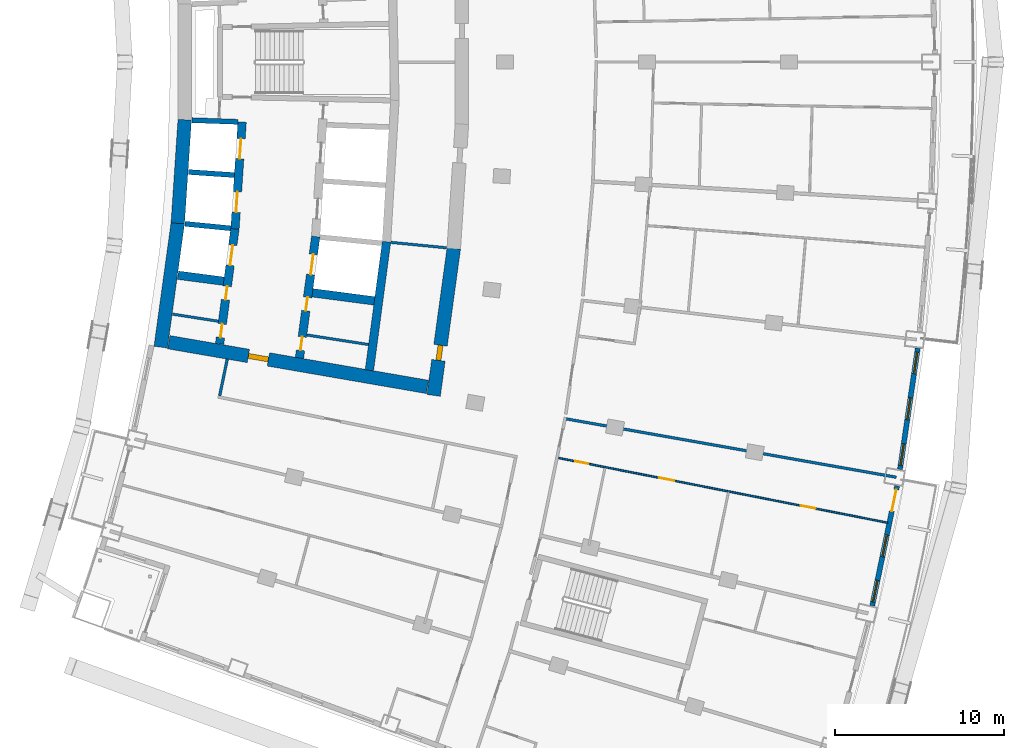
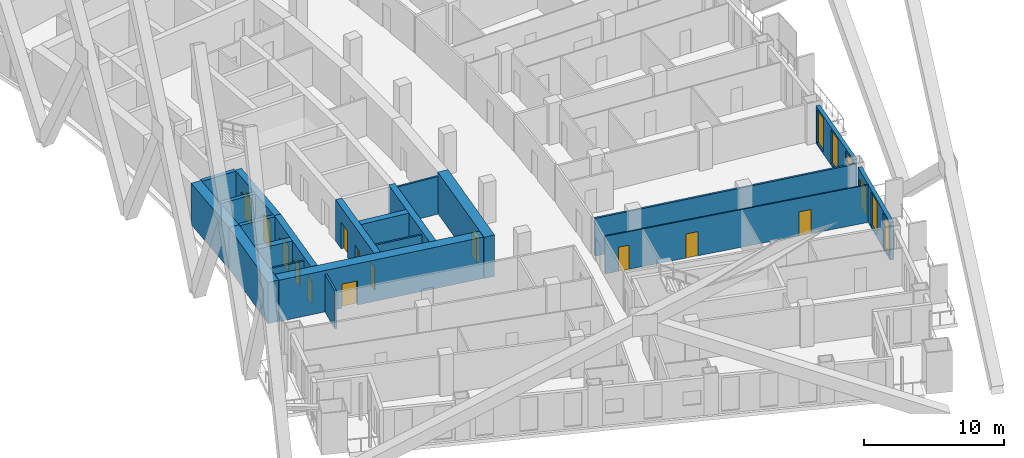
# One storey, part 13 of 24: 21 walls, 14 doors, 5 windows, 19 openings.
"""IFC4 building model written with IfcOpenShell, lengths in metres."""

from ifc_helpers import new_model, si_unit, direction, frame, frame_2d, origin, place, context, subcontext, project, spatial, rectangle, extrude, material, layer, layer_set, type_object, element, fill, save


model = new_model("IFC4")

# Units and contexts
model_context = context("Model", 3, precision=1e-05, world=origin(), true_north=direction((0.0, 1.0)))
body_context = subcontext(model_context, "Body", "Model", "MODEL_VIEW")
ifc_project = project(units=[si_unit("LENGTHUNIT", "METRE"), si_unit("AREAUNIT", "SQUARE_METRE"), si_unit("VOLUMEUNIT", "CUBIC_METRE"), si_unit("PLANEANGLEUNIT", "RADIAN"), si_unit("MASSUNIT", "GRAM", prefix="KILO")], contexts=[model_context])

# Site, building, storey
site_placement = place(None, origin())
site = spatial("IfcSite", under=ifc_project, at=site_placement, CompositionType="ELEMENT")
building_placement = place(site_placement, origin())
building = spatial("IfcBuilding", under=site, at=building_placement, Name="Alderwake Tower", CompositionType="ELEMENT")
storey_placement = place(building_placement, frame((0.0, 0.0, 104.0)))
storey = spatial("IfcBuildingStorey", under=building, at=storey_placement, Name="L25", CompositionType="ELEMENT", Elevation=104.0)

# Walls
ifc_material_1 = material(Name="Gypsum shaft wall system, rated")
ifc_layer_1 = layer(ifc_material_1, 0.14990234375)
ifc_layer_set_1 = layer_set([ifc_layer_1], Name="Core room partition 150")
wall_type_1 = type_object("IfcWallType", Name="Core room partition 150", PredefinedType="PARTITIONING", material=ifc_layer_set_1)
wall_1_placement = place(storey_placement, frame((16.122802734375, 46.082763671875, 0.0), z_axis=(0.0, 0.0, 1.0), x_axis=(0.988174136122, -0.153335829796, 0.0)))
element("IfcWall", 1, at=wall_1_placement, inside=storey, type_object=wall_type_1, Name="CW/L25/PR-161_+0", PredefinedType="PARTITIONING", context=body_context, shape_type="SweptSolid", body=[
    extrude(rectangle(XDim=2.740234375, YDim=0.14990234375, at=frame_2d((1.3701171875, 0.0))), origin(), (0.0, 0.0, 1.0), 3.280029296875),
])
wall_2_placement = place(storey_placement, frame((24.065185546875, 44.85009765625, 0.0), z_axis=(0.0, 0.0, 1.0), x_axis=(0.988172350529, -0.153347336626, 0.0)))
element("IfcWall", 2, at=wall_2_placement, inside=storey, type_object=wall_type_1, Name="CW/L25/PR-161_+86", PredefinedType="PARTITIONING", context=body_context, shape_type="SweptSolid", body=[
    extrude(rectangle(XDim=3.69677734375, YDim=0.14990234375, at=frame_2d((1.848388671875, 0.0))), origin(), (0.0, 0.0, 1.0), 3.280029296875),
])
wall_3_placement = place(storey_placement, frame((29.029296875, 50.331298828125, 0.0), z_axis=(0.0, 0.0, 1.0), x_axis=(0.995248248589, -0.097370034814, 0.0)))
element("IfcWall", 3, at=wall_3_placement, inside=storey, type_object=wall_type_1, Name="CW/L25/PR-102_+128", PredefinedType="PARTITIONING", context=body_context, shape_type="SweptSolid", body=[
    extrude(rectangle(XDim=3.31982421875, YDim=0.14990234375, at=frame_2d((1.659912109375, 0.0))), origin(), (0.0, 0.0, 1.0), 3.280029296875),
])
ifc_material_2 = material(Name="Concrete C70/85", Category="concrete")
ifc_layer_2 = layer(ifc_material_2, 0.800048828125)
ifc_layer_set_2 = layer_set([ifc_layer_2], Name="Core wall outer 800 C70-85")
wall_type_2 = type_object("IfcWallType", Name="Core wall outer 800 C70-85", PredefinedType="SHEAR", material=ifc_layer_set_2)
wall_4_placement = place(storey_placement, frame((15.419921875, 44.12890625, 0.0), z_axis=(0.0, 0.0, 1.0), x_axis=(0.13634256868, 0.990661750531, 0.0)))
element("IfcWall", 4, at=wall_4_placement, inside=storey, type_object=wall_type_2, Name="Core wall CW.042", PredefinedType="SHEAR", context=body_context, shape_type="SweptSolid", body=[
    extrude(rectangle(XDim=7.42578125, YDim=0.800048828125, at=frame_2d((3.712890625, 0.0))), origin(), (0.0, 0.0, 1.0), 3.60009765625),
])
wall_5_placement = place(storey_placement, frame((16.429443359375, 51.45654296875, 0.0), z_axis=(0.0, 0.0, 1.0), x_axis=(0.066885651624, 0.997760647454, 0.0)))
element("IfcWall", 5, at=wall_5_placement, inside=storey, type_object=wall_type_2, Name="Core wall CW.041", PredefinedType="SHEAR", context=body_context, shape_type="SweptSolid", body=[
    extrude(rectangle(XDim=6.14306640625, YDim=0.800048828125, at=frame_2d((3.071533203125, 0.0))), origin(), (0.0, 0.0, 1.0), 3.60009765625),
])

# Wall, opening, door
wall_6_placement = place(storey_placement, frame((32.763427734375, 49.980712890625, 0.0), z_axis=(0.0, 0.0, 1.0), x_axis=(-0.135838347444, -0.990731014637, 0.0)))
wall_6 = element("IfcWall", 6, at=wall_6_placement, inside=storey, type_object=wall_type_2, Name="Core wall CW.012", PredefinedType="SHEAR", context=body_context, shape_type="SweptSolid", body=[
    extrude(rectangle(XDim=8.788818359375, YDim=0.800048828125, at=frame_2d((4.39453125, 0.0))), origin(), (0.0, 0.0, 1.0), 3.60009765625),
])
opening_1_placement = place(wall_6_placement, frame((5.79345703125, 0.0, 0.0)))
opening_1 = element("IfcOpeningElement", 7, at=opening_1_placement, cuts=wall_6, Name="Opening C060", PredefinedType="OPENING", context=body_context, shape_type="SweptSolid", body=[
    extrude(rectangle(XDim=0.89990234375, YDim=2.10009765625, at=frame_2d((0.449951171875, 1.050048828125))), frame((0.0, 0.409912109375, 0.0), z_axis=(0.0, -1.0, 0.0), x_axis=(1.0, 0.0, 0.0)), (0.0, 0.0, 1.0), 0.820068359375),
])
ifc_material_3 = material(Name="Painted steel leaf", Category="steel")
door_type_1 = type_object("IfcDoorType", Name="Core room door 900", OperationType="SINGLE_SWING_LEFT", PredefinedType="DOOR", material=ifc_material_3)
door_1_placement = place(opening_1_placement, origin())
door_1 = element("IfcDoor", 8, at=door_1_placement, inside=storey, type_object=door_type_1, Name="Room door", OperationType="SINGLE_SWING_LEFT", OverallHeight=2.10009765625, OverallWidth=0.89990234375, PredefinedType="DOOR", context=body_context, shape_type="SweptSolid", body=[
    extrude(rectangle(XDim=0.89990234375, YDim=2.10009765625, at=frame_2d((0.449951171875, 1.050048828125))), frame((0.0, 0.14990234375, 0.0), z_axis=(0.0, -1.0, 0.0), x_axis=(1.0, 0.0, 0.0)), (0.0, 0.0, 1.0), 0.300048828125),
])
fill(opening_1, door_1)

wall_7_placement = place(storey_placement, frame((31.20458984375, 41.776611328125, 0.0), z_axis=(0.0, 0.0, 1.0), x_axis=(-0.985386537175, 0.170333121719, 0.0)))
wall_7 = element("IfcWall", 9, at=wall_7_placement, inside=storey, type_object=wall_type_2, Name="Core wall CW.071", PredefinedType="SHEAR", context=body_context, shape_type="SweptSolid", body=[
    extrude(rectangle(XDim=15.537109375, YDim=0.800048828125, at=frame_2d((7.7685546875, 0.0))), origin(), (0.0, 0.0, 1.0), 3.60009765625),
])
opening_2_placement = place(wall_7_placement, frame((9.5537109375, 0.0, 0.0)))
opening_2 = element("IfcOpeningElement", 10, at=opening_2_placement, cuts=wall_7, Name="Opening C003", PredefinedType="OPENING", context=body_context, shape_type="SweptSolid", body=[
    extrude(rectangle(XDim=1.199951171875, YDim=2.10009765625, at=frame_2d((0.60009765625, 1.050048828125))), frame((0.0, 0.409912109375, 0.0), z_axis=(0.0, -1.0, 0.0), x_axis=(1.0, 0.0, 0.0)), (0.0, 0.0, 1.0), 0.820068359375),
])
ifc_material_4 = material(Name="Steel-framed fire door leaf", Category="steel")
door_type_2 = type_object("IfcDoorType", Name="Core lobby exit door 1200 fire-rated", OperationType="SINGLE_SWING_LEFT", PredefinedType="DOOR", material=ifc_material_4)
door_2_placement = place(opening_2_placement, origin())
door_2 = element("IfcDoor", 11, at=door_2_placement, inside=storey, type_object=door_type_2, Name="Lobby door", OperationType="SINGLE_SWING_LEFT", OverallHeight=2.10009765625, OverallWidth=1.199951171875, PredefinedType="DOOR", context=body_context, shape_type="SweptSolid", body=[
    extrude(rectangle(XDim=1.199951171875, YDim=2.10009765625, at=frame_2d((0.60009765625, 1.050048828125))), frame((0.0, 0.14990234375, 0.0), z_axis=(0.0, -1.0, 0.0), x_axis=(1.0, 0.0, 0.0)), (0.0, 0.0, 1.0), 0.300048828125),
])
fill(opening_2, door_2)

# Walls
ifc_material_5 = material(Name="Concrete C70/85", Category="concrete")
ifc_layer_3 = layer(ifc_material_5, 0.300048828125)
ifc_layer_set_3 = layer_set([ifc_layer_3], Name="Core wall shaft 300 C70-85")
wall_type_3 = type_object("IfcWallType", Name="Core wall shaft 300 C70-85", PredefinedType="SHEAR", material=ifc_layer_set_3)
wall_8_placement = place(storey_placement, frame((16.8583984375, 51.4287109375, 0.0), z_axis=(0.0, 0.0, 1.0), x_axis=(0.995157330456, -0.098294901394, 0.0)))
element("IfcWall", 12, at=wall_8_placement, inside=storey, type_object=wall_type_3, Name="Core wall CW.065", PredefinedType="SHEAR", context=body_context, shape_type="SweptSolid", body=[
    extrude(rectangle(XDim=2.7197265625, YDim=0.300048828125, at=frame_2d((1.35986328125, 0.0))), origin(), (0.0, 0.0, 1.0), 3.60009765625),
])
wall_9_placement = place(storey_placement, frame((17.06396484375, 54.492919921875, 0.0), z_axis=(0.0, 0.0, 1.0), x_axis=(0.997758851023, -0.066912444326, 0.0)))
element("IfcWall", 13, at=wall_9_placement, inside=storey, type_object=wall_type_3, Name="Core wall CW.079", PredefinedType="SHEAR", context=body_context, shape_type="SweptSolid", body=[
    extrude(rectangle(XDim=2.71826171875, YDim=0.300048828125, at=frame_2d((1.359130859375, 0.0))), origin(), (0.0, 0.0, 1.0), 3.60009765625),
])
wall_10_placement = place(storey_placement, frame((17.269287109375, 57.556884765625, 0.0), z_axis=(0.0, 0.0, 1.0), x_axis=(0.999374351644, -0.035368139275, 0.0)))
element("IfcWall", 14, at=wall_10_placement, inside=storey, type_object=wall_type_3, Name="Core wall CW.076", PredefinedType="SHEAR", context=body_context, shape_type="SweptSolid", body=[
    extrude(rectangle(XDim=2.7197265625, YDim=0.300048828125, at=frame_2d((1.35986328125, 0.0))), origin(), (0.0, 0.0, 1.0), 3.60009765625),
])

# Wall, openings, doors
ifc_material_6 = material(Name="Concrete C70/85", Category="concrete")
ifc_layer_4 = layer(ifc_material_6, 0.5)
ifc_layer_set_4 = layer_set([ifc_layer_4], Name="Core wall spine 500 C70-85")
wall_type_4 = type_object("IfcWallType", Name="Core wall spine 500 C70-85", PredefinedType="SHEAR", material=ifc_layer_set_4)
wall_11_placement = place(storey_placement, frame((19.81494140625, 51.145263671875, 0.0), z_axis=(0.0, 0.0, 1.0), x_axis=(-0.132349652161, -0.991203091991, 0.0)))
wall_11 = element("IfcWall", 15, at=wall_11_placement, inside=storey, type_object=wall_type_4, Name="Core wall CW.033", PredefinedType="SHEAR", context=body_context, shape_type="SweptSolid", body=[
    extrude(rectangle(XDim=6.880615234375, YDim=0.5, at=frame_2d((3.4404296875, 0.0))), origin(), (0.0, 0.0, 1.0), 3.60009765625),
])
opening_3_placement = place(wall_11_placement, frame((0.99072265625, 0.0, 0.0)))
opening_3 = element("IfcOpeningElement", 16, at=opening_3_placement, cuts=wall_11, Name="Opening LD-LP1", PredefinedType="OPENING", context=body_context, shape_type="SweptSolid", body=[
    extrude(rectangle(XDim=1.199951171875, YDim=2.300048828125, at=frame_2d((0.60009765625, 1.14990234375))), frame((0.0, 0.260009765625, 0.0), z_axis=(0.0, -1.0, 0.0), x_axis=(1.0, 0.0, 0.0)), (0.0, 0.0, 1.0), 0.52001953125),
])
opening_4_placement = place(wall_11_placement, frame((5.698486328125, 0.0, 0.0)))
opening_4 = element("IfcOpeningElement", 17, at=opening_4_placement, cuts=wall_11, Name="Opening C009", PredefinedType="OPENING", context=body_context, shape_type="SweptSolid", body=[
    extrude(rectangle(XDim=0.800048828125, YDim=2.0, at=frame_2d((0.39990234375, 1.0))), frame((0.0, 0.260009765625, 0.0), z_axis=(0.0, -1.0, 0.0), x_axis=(1.0, 0.0, 0.0)), (0.0, 0.0, 1.0), 0.52001953125),
])
opening_5_placement = place(wall_11_placement, frame((3.444580078125, 0.0, 0.0)))
opening_5 = element("IfcOpeningElement", 18, at=opening_5_placement, cuts=wall_11, Name="Opening C010", PredefinedType="OPENING", context=body_context, shape_type="SweptSolid", body=[
    extrude(rectangle(XDim=0.800048828125, YDim=2.0, at=frame_2d((0.39990234375, 1.0))), frame((0.0, 0.260009765625, 0.0), z_axis=(0.0, -1.0, 0.0), x_axis=(1.0, 0.0, 0.0)), (0.0, 0.0, 1.0), 0.52001953125),
])
ifc_material_7 = material(Name="Stainless steel sliding leaf", Category="steel")
door_type_3 = type_object("IfcDoorType", Name="Lift landing door 1200", OperationType="SLIDING_TO_LEFT", PredefinedType="DOOR", material=ifc_material_7)
door_3_placement = place(opening_3_placement, origin())
door_3 = element("IfcDoor", 19, at=door_3_placement, inside=storey, type_object=door_type_3, Name="Lift landing door LP1", OperationType="SLIDING_TO_LEFT", OverallHeight=2.300048828125, OverallWidth=1.199951171875, PredefinedType="DOOR", context=body_context, shape_type="SweptSolid", body=[
    extrude(rectangle(XDim=1.199951171875, YDim=2.300048828125, at=frame_2d((0.60009765625, 1.14990234375))), frame((0.0, 0.02490234375, 0.0), z_axis=(0.0, -1.0, 0.0), x_axis=(1.0, 0.0, 0.0)), (0.0, 0.0, 1.0), 0.050048828125),
])
fill(opening_3, door_3)
ifc_material_8 = material(Name="Painted steel leaf, rated", Category="steel")
door_type_4 = type_object("IfcDoorType", Name="Riser access door 800", OperationType="SINGLE_SWING_LEFT", PredefinedType="DOOR", material=ifc_material_8)
door_4_placement = place(opening_4_placement, origin())
door_4 = element("IfcDoor", 20, at=door_4_placement, inside=storey, type_object=door_type_4, Name="Riser access door", OperationType="SINGLE_SWING_LEFT", OverallHeight=2.0, OverallWidth=0.800048828125, PredefinedType="DOOR", context=body_context, shape_type="SweptSolid", body=[
    extrude(rectangle(XDim=0.800048828125, YDim=2.0, at=frame_2d((0.39990234375, 1.0))), frame((0.0, 0.02490234375, 0.0), z_axis=(0.0, -1.0, 0.0), x_axis=(1.0, 0.0, 0.0)), (0.0, 0.0, 1.0), 0.050048828125),
])
fill(opening_4, door_4)
door_5_placement = place(opening_5_placement, origin())
door_5 = element("IfcDoor", 21, at=door_5_placement, inside=storey, type_object=door_type_4, Name="Riser access door", OperationType="SINGLE_SWING_RIGHT", OverallHeight=2.0, OverallWidth=0.800048828125, PredefinedType="DOOR", context=body_context, shape_type="SweptSolid", body=[
    extrude(rectangle(XDim=0.800048828125, YDim=2.0, at=frame_2d((0.39990234375, 1.0))), frame((0.0, 0.02490234375, 0.0), z_axis=(0.0, -1.0, 0.0), x_axis=(1.0, 0.0, 0.0)), (0.0, 0.0, 1.0), 0.050048828125),
])
fill(opening_5, door_5)

wall_12_placement = place(storey_placement, frame((19.813232421875, 51.1279296875, 0.0), z_axis=(0.0, 0.0, 1.0), x_axis=(0.066907604831, 0.997759175561, 0.0)))
wall_12 = element("IfcWall", 22, at=wall_12_placement, inside=storey, type_object=wall_type_4, Name="Core wall CW.032", PredefinedType="SHEAR", context=body_context, shape_type="SweptSolid", body=[
    extrude(rectangle(XDim=6.338134765625, YDim=0.5, at=frame_2d((3.1689453125, 0.0))), origin(), (0.0, 0.0, 1.0), 3.60009765625),
])
opening_6_placement = place(wall_12_placement, frame((0.990966796875, 0.0, 0.0)))
opening_6 = element("IfcOpeningElement", 23, at=opening_6_placement, cuts=wall_12, Name="Opening LD-LP2", PredefinedType="OPENING", context=body_context, shape_type="SweptSolid", body=[
    extrude(rectangle(XDim=1.199951171875, YDim=2.300048828125, at=frame_2d((0.60009765625, 1.14990234375))), frame((0.0, 0.260009765625, 0.0), z_axis=(0.0, -1.0, 0.0), x_axis=(1.0, 0.0, 0.0)), (0.0, 0.0, 1.0), 0.52001953125),
])
opening_7_placement = place(wall_12_placement, frame((4.156005859375, 0.0, 0.0)))
opening_7 = element("IfcOpeningElement", 24, at=opening_7_placement, cuts=wall_12, Name="Opening LD-LP3", PredefinedType="OPENING", context=body_context, shape_type="SweptSolid", body=[
    extrude(rectangle(XDim=1.199951171875, YDim=2.300048828125, at=frame_2d((0.60009765625, 1.14990234375))), frame((0.0, 0.260009765625, 0.0), z_axis=(0.0, -1.0, 0.0), x_axis=(1.0, 0.0, 0.0)), (0.0, 0.0, 1.0), 0.52001953125),
])
door_6_placement = place(opening_6_placement, origin())
door_6 = element("IfcDoor", 25, at=door_6_placement, inside=storey, type_object=door_type_3, Name="Lift landing door LP2", OperationType="SLIDING_TO_LEFT", OverallHeight=2.300048828125, OverallWidth=1.199951171875, PredefinedType="DOOR", context=body_context, shape_type="SweptSolid", body=[
    extrude(rectangle(XDim=1.199951171875, YDim=2.300048828125, at=frame_2d((0.60009765625, 1.14990234375))), frame((0.0, 0.02490234375, 0.0), z_axis=(0.0, -1.0, 0.0), x_axis=(1.0, 0.0, 0.0)), (0.0, 0.0, 1.0), 0.050048828125),
])
fill(opening_6, door_6)
door_7_placement = place(opening_7_placement, origin())
door_7 = element("IfcDoor", 26, at=door_7_placement, inside=storey, type_object=door_type_3, Name="Lift landing door LP3", OperationType="SLIDING_TO_LEFT", OverallHeight=2.300048828125, OverallWidth=1.199951171875, PredefinedType="DOOR", context=body_context, shape_type="SweptSolid", body=[
    extrude(rectangle(XDim=1.199951171875, YDim=2.300048828125, at=frame_2d((0.60009765625, 1.14990234375))), frame((0.0, 0.02490234375, 0.0), z_axis=(0.0, -1.0, 0.0), x_axis=(1.0, 0.0, 0.0)), (0.0, 0.0, 1.0), 0.050048828125),
])
fill(opening_7, door_7)

wall_13_placement = place(storey_placement, frame((23.631103515625, 43.489501953125, 0.0), z_axis=(0.0, 0.0, 1.0), x_axis=(0.132532135635, 0.991178708924, 0.0)))
wall_13 = element("IfcWall", 27, at=wall_13_placement, inside=storey, type_object=wall_type_4, Name="Core wall CW.047", PredefinedType="SHEAR", context=body_context, shape_type="SweptSolid", body=[
    extrude(rectangle(XDim=7.248779296875, YDim=0.5, at=frame_2d((3.62451171875, 0.0))), origin(), (0.0, 0.0, 1.0), 3.60009765625),
])
opening_8_placement = place(wall_13_placement, frame((4.981201171875, 0.0, 0.0)))
opening_8 = element("IfcOpeningElement", 28, at=opening_8_placement, cuts=wall_13, Name="Opening LD-LP4", PredefinedType="OPENING", context=body_context, shape_type="SweptSolid", body=[
    extrude(rectangle(XDim=1.199951171875, YDim=2.300048828125, at=frame_2d((0.60009765625, 1.14990234375))), frame((0.0, 0.260009765625, 0.0), z_axis=(0.0, -1.0, 0.0), x_axis=(1.0, 0.0, 0.0)), (0.0, 0.0, 1.0), 0.52001953125),
])
opening_9_placement = place(wall_13_placement, frame((0.4580078125, 0.0, 0.0)))
opening_9 = element("IfcOpeningElement", 29, at=opening_9_placement, cuts=wall_13, Name="Opening C016", PredefinedType="OPENING", context=body_context, shape_type="SweptSolid", body=[
    extrude(rectangle(XDim=0.800048828125, YDim=2.0, at=frame_2d((0.39990234375, 1.0))), frame((0.0, 0.260009765625, 0.0), z_axis=(0.0, -1.0, 0.0), x_axis=(1.0, 0.0, 0.0)), (0.0, 0.0, 1.0), 0.52001953125),
])
opening_10_placement = place(wall_13_placement, frame((2.819580078125, 0.0, 0.0)))
opening_10 = element("IfcOpeningElement", 30, at=opening_10_placement, cuts=wall_13, Name="Opening C017", PredefinedType="OPENING", context=body_context, shape_type="SweptSolid", body=[
    extrude(rectangle(XDim=0.800048828125, YDim=2.0, at=frame_2d((0.39990234375, 1.0))), frame((0.0, 0.260009765625, 0.0), z_axis=(0.0, -1.0, 0.0), x_axis=(1.0, 0.0, 0.0)), (0.0, 0.0, 1.0), 0.52001953125),
])
door_8_placement = place(opening_8_placement, origin())
door_8 = element("IfcDoor", 31, at=door_8_placement, inside=storey, type_object=door_type_3, Name="Lift landing door LP4", OperationType="SLIDING_TO_LEFT", OverallHeight=2.300048828125, OverallWidth=1.199951171875, PredefinedType="DOOR", context=body_context, shape_type="SweptSolid", body=[
    extrude(rectangle(XDim=1.199951171875, YDim=2.300048828125, at=frame_2d((0.60009765625, 1.14990234375))), frame((0.0, 0.02490234375, 0.0), z_axis=(0.0, -1.0, 0.0), x_axis=(1.0, 0.0, 0.0)), (0.0, 0.0, 1.0), 0.050048828125),
])
fill(opening_8, door_8)
door_9_placement = place(opening_9_placement, origin())
door_9 = element("IfcDoor", 32, at=door_9_placement, inside=storey, type_object=door_type_4, Name="Riser access door", OperationType="SINGLE_SWING_LEFT", OverallHeight=2.0, OverallWidth=0.800048828125, PredefinedType="DOOR", context=body_context, shape_type="SweptSolid", body=[
    extrude(rectangle(XDim=0.800048828125, YDim=2.0, at=frame_2d((0.39990234375, 1.0))), frame((0.0, 0.02490234375, 0.0), z_axis=(0.0, -1.0, 0.0), x_axis=(1.0, 0.0, 0.0)), (0.0, 0.0, 1.0), 0.050048828125),
])
fill(opening_9, door_9)
door_10_placement = place(opening_10_placement, origin())
door_10 = element("IfcDoor", 33, at=door_10_placement, inside=storey, type_object=door_type_4, Name="Riser access door", OperationType="SINGLE_SWING_RIGHT", OverallHeight=2.0, OverallWidth=0.800048828125, PredefinedType="DOOR", context=body_context, shape_type="SweptSolid", body=[
    extrude(rectangle(XDim=0.800048828125, YDim=2.0, at=frame_2d((0.39990234375, 1.0))), frame((0.0, 0.02490234375, 0.0), z_axis=(0.0, -1.0, 0.0), x_axis=(1.0, 0.0, 0.0)), (0.0, 0.0, 1.0), 0.050048828125),
])
fill(opening_10, door_10)

# Walls
wall_14_placement = place(storey_placement, frame((27.76708984375, 42.75830078125, 0.0), z_axis=(0.0, 0.0, 1.0), x_axis=(0.132213731211, 0.991221231249, 0.0)))
element("IfcWall", 34, at=wall_14_placement, inside=storey, type_object=wall_type_4, Name="Core wall CW.006", PredefinedType="SHEAR", context=body_context, shape_type="SweptSolid", body=[
    extrude(rectangle(XDim=7.67431640625, YDim=0.5, at=frame_2d((3.837158203125, 0.0))), origin(), (0.0, 0.0, 1.0), 3.60009765625),
])
wall_15_placement = place(storey_placement, frame((16.43994140625, 48.38623046875, 0.0), z_axis=(0.0, 0.0, 1.0), x_axis=(0.991557472006, -0.129667959452, 0.0)))
element("IfcWall", 35, at=wall_15_placement, inside=storey, type_object=wall_type_4, Name="Core wall CW.067", PredefinedType="SHEAR", context=body_context, shape_type="SweptSolid", body=[
    extrude(rectangle(XDim=2.72998046875, YDim=0.5, at=frame_2d((1.364990234375, 0.0))), origin(), (0.0, 0.0, 1.0), 3.60009765625),
])
wall_16_placement = place(storey_placement, frame((24.39892578125, 47.345458984375, 0.0), z_axis=(0.0, 0.0, 1.0), x_axis=(0.991553185565, -0.129700733209, 0.0)))
element("IfcWall", 36, at=wall_16_placement, inside=storey, type_object=wall_type_4, Name="Core wall CW.069", PredefinedType="SHEAR", context=body_context, shape_type="SweptSolid", body=[
    extrude(rectangle(XDim=3.695068359375, YDim=0.5, at=frame_2d((1.84765625, 0.0))), origin(), (0.0, 0.0, 1.0), 3.60009765625),
])
ifc_material_9 = material(Name="Gypsum board on metal studs, rated")
ifc_layer_5 = layer(ifc_material_9, 0.159912109375)
ifc_layer_set_5 = layer_set([ifc_layer_5], Name="Corridor wall 160")
wall_type_5 = type_object("IfcWallType", Name="Corridor wall 160", PredefinedType="PARTITIONING", material=ifc_layer_set_5)
wall_17_placement = place(storey_placement, frame((19.35888671875, 43.430908203125, 0.0), z_axis=(0.0, 0.0, 1.0), x_axis=(-0.202554916658, -0.979270905183, 0.0)))
element("IfcWall", 37, at=wall_17_placement, inside=storey, type_object=wall_type_5, Name="WL/L25/W20", PredefinedType="PARTITIONING", context=body_context, shape_type="SweptSolid", body=[
    extrude(rectangle(XDim=2.229736328125, YDim=0.159912109375, at=frame_2d((1.11474609375, 0.0))), origin(), (0.0, 0.0, 1.0), 3.280029296875),
])
wall_18_placement = place(storey_placement, frame((58.944091796875, 36.431884765625, 0.0), z_axis=(0.0, 0.0, 1.0), x_axis=(-0.984723605958, 0.174124725039, 0.0)))
element("IfcWall", 38, at=wall_18_placement, inside=storey, type_object=wall_type_5, Name="WL/L25/W43", PredefinedType="PARTITIONING", context=body_context, shape_type="SweptSolid", body=[
    extrude(rectangle(XDim=19.820068359375, YDim=0.159912109375, at=frame_2d((9.91015625, 0.0))), origin(), (0.0, 0.0, 1.0), 3.280029296875),
])

# Wall, openings, door, windows
ifc_material_10 = material(Name="Precast concrete C50/60 spandrel panel", Category="concrete")
ifc_layer_6 = layer(ifc_material_10, 0.300048828125)
ifc_layer_set_6 = layer_set([ifc_layer_6], Name="External wall EW1 Precast concrete C50/60 spandrel")
wall_type_6 = type_object("IfcWallType", Name="External wall EW1 Precast concrete C50/60 spandrel", PredefinedType="SOLIDWALL", material=ifc_layer_set_6)
wall_19_placement = place(storey_placement, frame((57.5234375, 28.828369140625, 0.0), z_axis=(0.0, 0.0, 1.0), x_axis=(0.202744971344, 0.97923157455, 0.0)))
wall_19 = element("IfcWall", 39, at=wall_19_placement, inside=storey, type_object=wall_type_6, Name="External wall 13", PredefinedType="SOLIDWALL", context=body_context, shape_type="SweptSolid", body=[
    extrude(rectangle(XDim=7.24072265625, YDim=0.300048828125, at=frame_2d((3.620361328125, 0.0))), origin(), (0.0, 0.0, 1.0), 3.280029296875),
])
opening_11_placement = place(wall_19_placement, frame((0.22900390625, 0.0, 0.199951171875)))
opening_11 = element("IfcOpeningElement", 40, at=opening_11_placement, cuts=wall_19, Name="Opening W1", PredefinedType="OPENING", context=body_context, shape_type="SweptSolid", body=[
    extrude(rectangle(XDim=1.300048828125, YDim=2.89990234375, at=frame_2d((0.64990234375, 1.449951171875))), frame((0.0, 0.159912109375, 0.0), z_axis=(0.0, -1.0, 0.0), x_axis=(1.0, 0.0, 0.0)), (0.0, 0.0, 1.0), 0.320068359375),
])
opening_12_placement = place(wall_19_placement, frame((2.970458984375, 0.0, 0.199951171875)))
opening_12 = element("IfcOpeningElement", 41, at=opening_12_placement, cuts=wall_19, Name="Opening W1", PredefinedType="OPENING", context=body_context, shape_type="SweptSolid", body=[
    extrude(rectangle(XDim=1.300048828125, YDim=2.89990234375, at=frame_2d((0.64990234375, 1.449951171875))), frame((0.0, 0.159912109375, 0.0), z_axis=(0.0, -1.0, 0.0), x_axis=(1.0, 0.0, 0.0)), (0.0, 0.0, 1.0), 0.320068359375),
])
opening_13_placement = place(wall_19_placement, frame((5.711669921875, 0.0, 0.0)))
opening_13 = element("IfcOpeningElement", 42, at=opening_13_placement, cuts=wall_19, Name="Opening D04", PredefinedType="OPENING", context=body_context, shape_type="SweptSolid", body=[
    extrude(rectangle(XDim=1.300048828125, YDim=2.39990234375, at=frame_2d((0.64990234375, 1.199951171875))), frame((0.0, 0.159912109375, 0.0), z_axis=(0.0, -1.0, 0.0), x_axis=(1.0, 0.0, 0.0)), (0.0, 0.0, 1.0), 0.320068359375),
])
ifc_material_11 = material(Name="Bronze tinted glass in aluminium frame", Category="aluminium")
door_type_5 = type_object("IfcDoorType", Name="Balcony door BD sliding", OperationType="SLIDING_TO_LEFT", PredefinedType="DOOR", material=ifc_material_11)
door_11_placement = place(opening_13_placement, origin())
door_11 = element("IfcDoor", 43, at=door_11_placement, inside=storey, type_object=door_type_5, Name="Door D04", OperationType="SLIDING_TO_LEFT", OverallHeight=2.39990234375, OverallWidth=1.300048828125, PredefinedType="DOOR", context=body_context, shape_type="SweptSolid", body=[
    extrude(rectangle(XDim=1.300048828125, YDim=2.39990234375, at=frame_2d((0.64990234375, 1.199951171875))), frame((0.0, 0.02490234375, 0.0), z_axis=(0.0, -1.0, 0.0), x_axis=(1.0, 0.0, 0.0)), (0.0, 0.0, 1.0), 0.050048828125),
])
fill(opening_13, door_11)
ifc_material_12 = material(Name="Bronze tinted glass in aluminium frame", Category="aluminium")
window_type = type_object("IfcWindowType", Name="Window W1 tall fixed and vent", PartitioningType="DOUBLE_PANEL_VERTICAL", PredefinedType="WINDOW", material=ifc_material_12)
window_1_placement = place(opening_11_placement, origin())
window_1 = element("IfcWindow", 44, at=window_1_placement, inside=storey, type_object=window_type, Name="Window W1 tall fixed and vent", OverallHeight=2.89990234375, OverallWidth=1.300048828125, PartitioningType="DOUBLE_PANEL_VERTICAL", PredefinedType="WINDOW", context=body_context, shape_type="SweptSolid", body=[
    extrude(rectangle(XDim=1.300048828125, YDim=2.89990234375, at=frame_2d((0.64990234375, 1.449951171875))), frame((0.0, 0.030029296875, 0.0), z_axis=(0.0, -1.0, 0.0), x_axis=(1.0, 0.0, 0.0)), (0.0, 0.0, 1.0), 0.06005859375),
])
fill(opening_11, window_1)
window_2_placement = place(opening_12_placement, origin())
window_2 = element("IfcWindow", 45, at=window_2_placement, inside=storey, type_object=window_type, Name="Window W1 tall fixed and vent", OverallHeight=2.89990234375, OverallWidth=1.300048828125, PartitioningType="DOUBLE_PANEL_VERTICAL", PredefinedType="WINDOW", context=body_context, shape_type="SweptSolid", body=[
    extrude(rectangle(XDim=1.300048828125, YDim=2.89990234375, at=frame_2d((0.64990234375, 1.449951171875))), frame((0.0, 0.030029296875, 0.0), z_axis=(0.0, -1.0, 0.0), x_axis=(1.0, 0.0, 0.0)), (0.0, 0.0, 1.0), 0.06005859375),
])
fill(opening_12, window_2)

# Wall, openings, windows
wall_20_placement = place(storey_placement, frame((59.1650390625, 36.90087890625, 0.0), z_axis=(0.0, 0.0, 1.0), x_axis=(0.145324114128, 0.989384102284, 0.0)))
wall_20 = element("IfcWall", 46, at=wall_20_placement, inside=storey, type_object=wall_type_6, Name="External wall 14", PredefinedType="SOLIDWALL", context=body_context, shape_type="SweptSolid", body=[
    extrude(rectangle(XDim=7.24072265625, YDim=0.300048828125, at=frame_2d((3.620361328125, 0.0))), origin(), (0.0, 0.0, 1.0), 3.280029296875),
])
opening_14_placement = place(wall_20_placement, frame((0.22900390625, 0.0, 0.199951171875)))
opening_14 = element("IfcOpeningElement", 47, at=opening_14_placement, cuts=wall_20, Name="Opening W1", PredefinedType="OPENING", context=body_context, shape_type="SweptSolid", body=[
    extrude(rectangle(XDim=1.300048828125, YDim=2.89990234375, at=frame_2d((0.64990234375, 1.449951171875))), frame((0.0, 0.159912109375, 0.0), z_axis=(0.0, -1.0, 0.0), x_axis=(1.0, 0.0, 0.0)), (0.0, 0.0, 1.0), 0.320068359375),
])
opening_15_placement = place(wall_20_placement, frame((2.97021484375, 0.0, 0.199951171875)))
opening_15 = element("IfcOpeningElement", 48, at=opening_15_placement, cuts=wall_20, Name="Opening W1", PredefinedType="OPENING", context=body_context, shape_type="SweptSolid", body=[
    extrude(rectangle(XDim=1.300048828125, YDim=2.89990234375, at=frame_2d((0.64990234375, 1.449951171875))), frame((0.0, 0.159912109375, 0.0), z_axis=(0.0, -1.0, 0.0), x_axis=(1.0, 0.0, 0.0)), (0.0, 0.0, 1.0), 0.320068359375),
])
opening_16_placement = place(wall_20_placement, frame((5.711669921875, 0.0, 0.199951171875)))
opening_16 = element("IfcOpeningElement", 49, at=opening_16_placement, cuts=wall_20, Name="Opening W1", PredefinedType="OPENING", context=body_context, shape_type="SweptSolid", body=[
    extrude(rectangle(XDim=1.300048828125, YDim=2.89990234375, at=frame_2d((0.64990234375, 1.449951171875))), frame((0.0, 0.159912109375, 0.0), z_axis=(0.0, -1.0, 0.0), x_axis=(1.0, 0.0, 0.0)), (0.0, 0.0, 1.0), 0.320068359375),
])
window_3_placement = place(opening_14_placement, origin())
window_3 = element("IfcWindow", 50, at=window_3_placement, inside=storey, type_object=window_type, Name="Window W1 tall fixed and vent", OverallHeight=2.89990234375, OverallWidth=1.300048828125, PartitioningType="DOUBLE_PANEL_VERTICAL", PredefinedType="WINDOW", context=body_context, shape_type="SweptSolid", body=[
    extrude(rectangle(XDim=1.300048828125, YDim=2.89990234375, at=frame_2d((0.64990234375, 1.449951171875))), frame((0.0, 0.030029296875, 0.0), z_axis=(0.0, -1.0, 0.0), x_axis=(1.0, 0.0, 0.0)), (0.0, 0.0, 1.0), 0.06005859375),
])
fill(opening_14, window_3)
window_4_placement = place(opening_15_placement, origin())
window_4 = element("IfcWindow", 51, at=window_4_placement, inside=storey, type_object=window_type, Name="Window W1 tall fixed and vent", OverallHeight=2.89990234375, OverallWidth=1.300048828125, PartitioningType="DOUBLE_PANEL_VERTICAL", PredefinedType="WINDOW", context=body_context, shape_type="SweptSolid", body=[
    extrude(rectangle(XDim=1.300048828125, YDim=2.89990234375, at=frame_2d((0.64990234375, 1.449951171875))), frame((0.0, 0.030029296875, 0.0), z_axis=(0.0, -1.0, 0.0), x_axis=(1.0, 0.0, 0.0)), (0.0, 0.0, 1.0), 0.06005859375),
])
fill(opening_15, window_4)
window_5_placement = place(opening_16_placement, origin())
window_5 = element("IfcWindow", 52, at=window_5_placement, inside=storey, type_object=window_type, Name="Window W1 tall fixed and vent", OverallHeight=2.89990234375, OverallWidth=1.300048828125, PartitioningType="DOUBLE_PANEL_VERTICAL", PredefinedType="WINDOW", context=body_context, shape_type="SweptSolid", body=[
    extrude(rectangle(XDim=1.300048828125, YDim=2.89990234375, at=frame_2d((0.64990234375, 1.449951171875))), frame((0.0, 0.030029296875, 0.0), z_axis=(0.0, -1.0, 0.0), x_axis=(1.0, 0.0, 0.0)), (0.0, 0.0, 1.0), 0.06005859375),
])
fill(opening_16, window_5)

# Wall, openings, doors
ifc_material_13 = material(Name="Gypsum board on metal studs")
ifc_layer_7 = layer(ifc_material_13, 0.10009765625)
ifc_layer_set_7 = layer_set([ifc_layer_7], Name="Unit partition 100")
wall_type_7 = type_object("IfcWallType", Name="Unit partition 100", PredefinedType="PARTITIONING", material=ifc_layer_set_7)
wall_21_placement = place(storey_placement, frame((58.43701171875, 33.738037109375, 0.0), z_axis=(0.0, 0.0, 1.0), x_axis=(-0.98116765567, 0.193158047897, 0.0)))
wall_21 = element("IfcWall", 53, at=wall_21_placement, inside=storey, type_object=wall_type_7, Name="WL/L25/W71", PredefinedType="PARTITIONING", context=body_context, shape_type="SweptSolid", body=[
    extrude(rectangle(XDim=19.861572265625, YDim=0.10009765625, at=frame_2d((9.9306640625, 0.0))), origin(), (0.0, 0.0, 1.0), 3.280029296875),
])
opening_17_placement = place(wall_21_placement, frame((12.868896484375, 0.0, 0.0)))
opening_17 = element("IfcOpeningElement", 54, at=opening_17_placement, cuts=wall_21, Name="Opening R07-U05.1", PredefinedType="OPENING", context=body_context, shape_type="SweptSolid", body=[
    extrude(rectangle(XDim=0.89990234375, YDim=2.10009765625, at=frame_2d((0.449951171875, 1.050048828125))), frame((0.0, 0.06005859375, 0.0), z_axis=(0.0, -1.0, 0.0), x_axis=(1.0, 0.0, 0.0)), (0.0, 0.0, 1.0), 0.1201171875),
])
opening_18_placement = place(wall_21_placement, frame((18.052001953125, 0.0, 0.0)))
opening_18 = element("IfcOpeningElement", 55, at=opening_18_placement, cuts=wall_21, Name="Opening R07-U05.3", PredefinedType="OPENING", context=body_context, shape_type="SweptSolid", body=[
    extrude(rectangle(XDim=0.800048828125, YDim=2.10009765625, at=frame_2d((0.39990234375, 1.050048828125))), frame((0.0, 0.06005859375, 0.0), z_axis=(0.0, -1.0, 0.0), x_axis=(1.0, 0.0, 0.0)), (0.0, 0.0, 1.0), 0.1201171875),
])
opening_19_placement = place(wall_21_placement, frame((4.347412109375, 0.0, 0.0)))
opening_19 = element("IfcOpeningElement", 56, at=opening_19_placement, cuts=wall_21, Name="Opening R07-U05.4", PredefinedType="OPENING", context=body_context, shape_type="SweptSolid", body=[
    extrude(rectangle(XDim=0.89990234375, YDim=2.10009765625, at=frame_2d((0.449951171875, 1.050048828125))), frame((0.0, 0.06005859375, 0.0), z_axis=(0.0, -1.0, 0.0), x_axis=(1.0, 0.0, 0.0)), (0.0, 0.0, 1.0), 0.1201171875),
])
ifc_material_14 = material(Name="Painted timber leaf", Category="wood")
door_type_6 = type_object("IfcDoorType", Name="Bathroom door 800", OperationType="SINGLE_SWING_LEFT", PredefinedType="DOOR", material=ifc_material_14)
door_12_placement = place(opening_18_placement, origin())
door_12 = element("IfcDoor", 57, at=door_12_placement, inside=storey, type_object=door_type_6, Name="DR/L25/U05.3", OperationType="SINGLE_SWING_LEFT", OverallHeight=2.10009765625, OverallWidth=0.800048828125, PredefinedType="DOOR", context=body_context, shape_type="SweptSolid", body=[
    extrude(rectangle(XDim=0.800048828125, YDim=2.10009765625, at=frame_2d((0.39990234375, 1.050048828125))), frame((0.0, 0.02490234375, 0.0), z_axis=(0.0, -1.0, 0.0), x_axis=(1.0, 0.0, 0.0)), (0.0, 0.0, 1.0), 0.050048828125),
])
fill(opening_18, door_12)
ifc_material_15 = material(Name="Painted timber leaf", Category="wood")
door_type_7 = type_object("IfcDoorType", Name="Room door 900", OperationType="SINGLE_SWING_LEFT", PredefinedType="DOOR", material=ifc_material_15)
door_13_placement = place(opening_17_placement, origin())
door_13 = element("IfcDoor", 58, at=door_13_placement, inside=storey, type_object=door_type_7, Name="DR/L25/U05.1", OperationType="SINGLE_SWING_LEFT", OverallHeight=2.10009765625, OverallWidth=0.89990234375, PredefinedType="DOOR", context=body_context, shape_type="SweptSolid", body=[
    extrude(rectangle(XDim=0.89990234375, YDim=2.10009765625, at=frame_2d((0.449951171875, 1.050048828125))), frame((0.0, 0.02490234375, 0.0), z_axis=(0.0, -1.0, 0.0), x_axis=(1.0, 0.0, 0.0)), (0.0, 0.0, 1.0), 0.050048828125),
])
fill(opening_17, door_13)
door_14_placement = place(opening_19_placement, origin())
door_14 = element("IfcDoor", 59, at=door_14_placement, inside=storey, type_object=door_type_7, Name="DR/L25/U05.4", OperationType="SINGLE_SWING_LEFT", OverallHeight=2.10009765625, OverallWidth=0.89990234375, PredefinedType="DOOR", context=body_context, shape_type="SweptSolid", body=[
    extrude(rectangle(XDim=0.89990234375, YDim=2.10009765625, at=frame_2d((0.449951171875, 1.050048828125))), frame((0.0, 0.02490234375, 0.0), z_axis=(0.0, -1.0, 0.0), x_axis=(1.0, 0.0, 0.0)), (0.0, 0.0, 1.0), 0.050048828125),
])
fill(opening_19, door_14)

save(model, "model.ifc")
